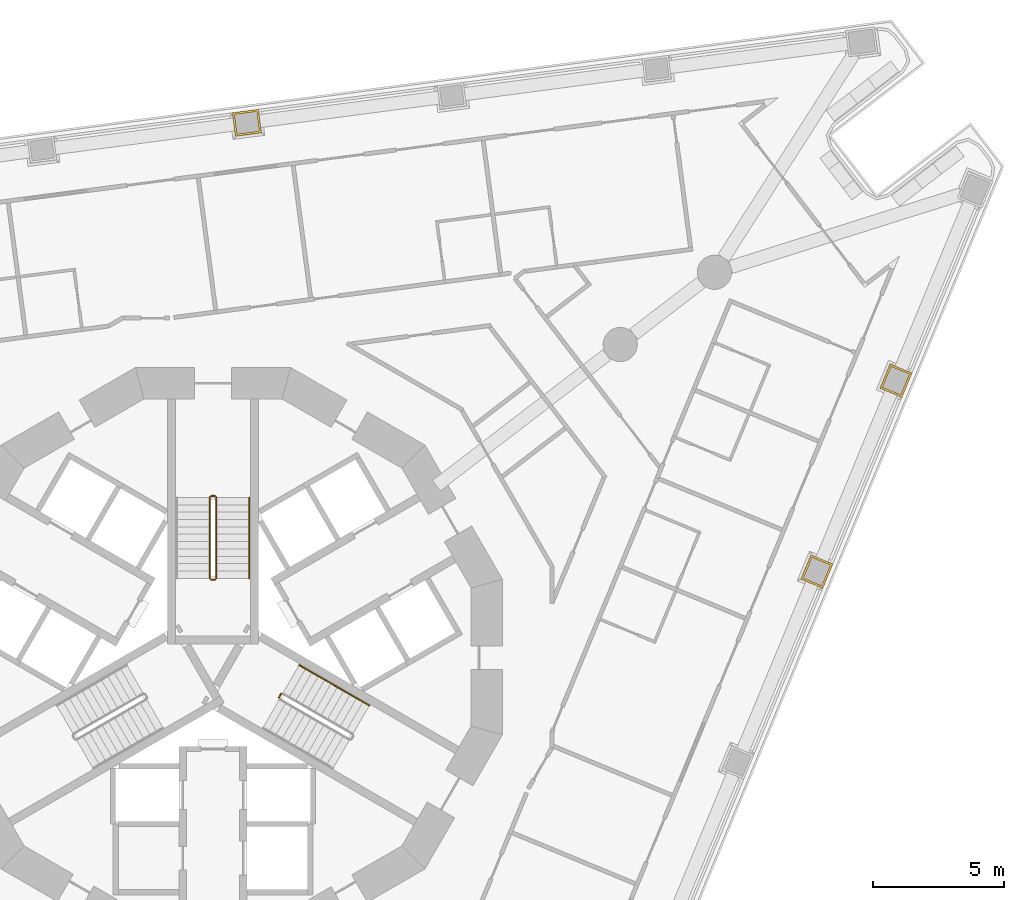
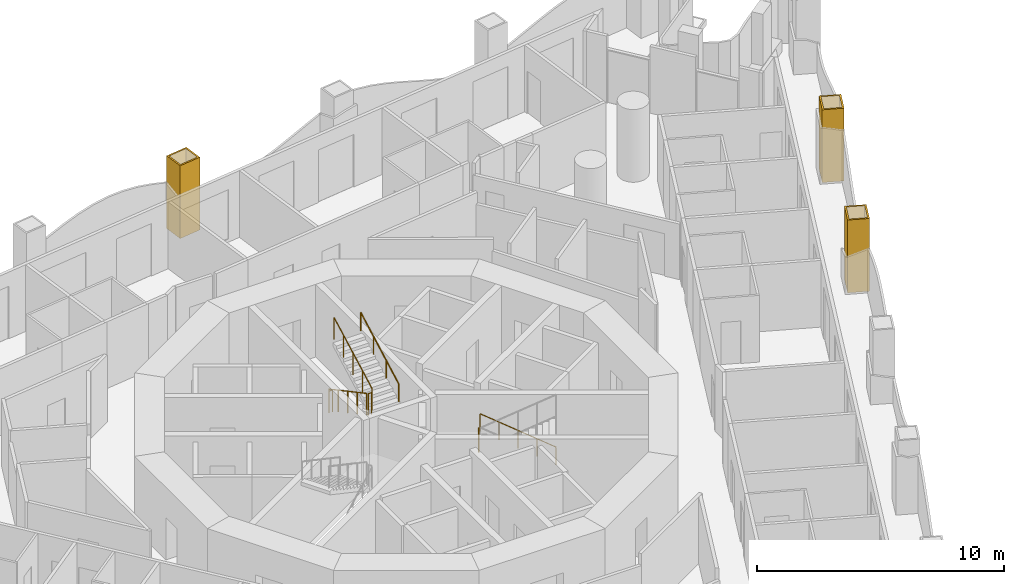
# One storey, part 17 of 19: 8 railings, 3 coverings.
"""IFC4 building model written with IfcOpenShell, lengths in metres."""

from ifc_helpers import new_model, si_unit, direction, frame, origin, origin_2d, place, context, subcontext, project, spatial, polyline, circle, outline, extrude, material, layer, layer_set, type_object, element, save


model = new_model("IFC4")

# Units and contexts
model_context = context("Model", 3, precision=1e-05, world=origin(), true_north=direction((0.0, 1.0)))
body_context = subcontext(model_context, "Body", "Model", "MODEL_VIEW")
ifc_project = project(units=[si_unit("LENGTHUNIT", "METRE"), si_unit("AREAUNIT", "SQUARE_METRE"), si_unit("VOLUMEUNIT", "CUBIC_METRE"), si_unit("PLANEANGLEUNIT", "RADIAN"), si_unit("MASSUNIT", "GRAM", prefix="KILO")], contexts=[model_context])

# Site, building, storey
site_placement = place(None, origin())
site = spatial("IfcSite", under=ifc_project, at=site_placement, CompositionType="ELEMENT")
building_placement = place(site_placement, origin())
building = spatial("IfcBuilding", under=site, at=building_placement, Name="Trine Commons Tower", CompositionType="ELEMENT")
storey_placement = place(building_placement, frame((0.0, 0.0, 61.199951171875)))
storey = spatial("IfcBuildingStorey", under=building, at=storey_placement, Name="L14", CompositionType="ELEMENT", Elevation=61.199951171875)

# Coverings
ifc_material_1 = material(Name="Limestone, honed", Category="masonry")
ifc_layer = layer(ifc_material_1, 0.074951171875)
ifc_layer_set = layer_set([ifc_layer], Name="Limestone, honed")
covering_type = type_object("IfcCoveringType", Name="Limestone column cladding 75", PredefinedType="CLADDING", material=ifc_layer_set)
covering_1_placement = place(storey_placement, origin())
element("IfcCovering", 1, at=covering_1_placement, inside=storey, type_object=covering_type, Name="Limestone pier cladding 2-13", PredefinedType="CLADDING", context=body_context, shape_type="SweptSolid", body=[
    extrude(outline(polyline([(81.843505859375, 82.43798828125), (81.72607421875, 83.330322265625), (80.734619140625, 83.19970703125), (80.85205078125, 82.3076171875), (81.843505859375, 82.43798828125)]), holes=[polyline([(81.759521484375, 82.502685546875), (81.66162109375, 83.24609375), (80.81884765625, 83.13525390625), (80.916748046875, 82.3916015625), (81.759521484375, 82.502685546875)])]), origin(), (0.0, 0.0, 1.0), 3.60009765625),
])
covering_2_placement = place(storey_placement, origin())
element("IfcCovering", 2, at=covering_2_placement, inside=storey, type_object=covering_type, Name="Limestone pier cladding 2-18", PredefinedType="CLADDING", context=body_context, shape_type="SweptSolid", body=[
    extrude(outline(polyline([(106.58349609375, 73.30029296875), (105.751953125, 73.644775390625), (105.369140625, 72.720947265625), (106.20068359375, 72.37646484375), (106.58349609375, 73.30029296875)]), holes=[polyline([(106.4853515625, 73.259765625), (105.79248046875, 73.546875), (105.46728515625, 72.761474609375), (106.16015625, 72.474365234375), (106.4853515625, 73.259765625)])]), origin(), (0.0, 0.0, 1.0), 3.60009765625),
])
covering_3_placement = place(storey_placement, origin())
element("IfcCovering", 3, at=covering_3_placement, inside=storey, type_object=covering_type, Name="Limestone pier cladding 2-19", PredefinedType="CLADDING", context=body_context, shape_type="SweptSolid", body=[
    extrude(outline(polyline([(103.575439453125, 66.0380859375), (102.743896484375, 66.382568359375), (102.361083984375, 65.458740234375), (103.192626953125, 65.114501953125), (103.575439453125, 66.0380859375)]), holes=[polyline([(103.477294921875, 65.99755859375), (102.784423828125, 66.28466796875), (102.459228515625, 65.49951171875), (103.152099609375, 65.21240234375), (103.477294921875, 65.99755859375)])]), origin(), (0.0, 0.0, 1.0), 3.60009765625),
])

# Railings
ifc_material_2 = material(Name="Stainless steel balustrade", Category="steel")
railing_type_1 = type_object("IfcRailingType", Name="Stair guard, steel balustrade 1100", PredefinedType="GUARDRAIL", material=ifc_material_2)
railing_1_placement = place(storey_placement, frame((79.875, 68.570556640625, 0.150146484375)))
element("IfcRailing", 4, at=railing_1_placement, inside=storey, type_object=railing_type_1, Name="L14 ST1A stair guard 1", PredefinedType="GUARDRAIL", context=body_context, shape_type="SweptSolid", body=[
    extrude(circle(Radius=0.02392578125, at=origin_2d()), frame((0.0, 0.0, 1.076171875), z_axis=(0.0, -0.881496589024, 0.472190389079), x_axis=(1.0, 0.0, 0.0)), (0.0, 0.0, 1.0), 3.494140625),
    extrude(circle(Radius=0.02099609375, at=origin_2d()), origin(), (0.0, 0.0, 1.0), 1.052001953125),
    extrude(circle(Radius=0.02099609375, at=origin_2d()), frame((0.0, -0.77001953125, 0.41259765625)), (0.0, 0.0, 1.0), 1.052001953125),
    extrude(circle(Radius=0.02099609375, at=origin_2d()), frame((0.0, -1.5400390625, 0.824951171875)), (0.0, 0.0, 1.0), 1.052001953125),
    extrude(circle(Radius=0.02099609375, at=origin_2d()), frame((0.0, -2.31005859375, 1.2373046875)), (0.0, 0.0, 1.0), 1.052001953125),
    extrude(circle(Radius=0.02099609375, at=origin_2d()), frame((0.0, -3.080078125, 1.64990234375)), (0.0, 0.0, 1.0), 1.052001953125),
])
railing_2_placement = place(storey_placement, frame((79.925048828125, 65.440673828125, 1.800048828125)))
element("IfcRailing", 5, at=railing_2_placement, inside=storey, type_object=railing_type_1, Name="L14 ST1A stair guard 2", PredefinedType="GUARDRAIL", context=body_context, shape_type="SweptSolid", body=[
    extrude(circle(Radius=0.02392578125, at=origin_2d()), frame((0.0, 0.0, 1.076171875), z_axis=(1.0, 0.0, 0.0), x_axis=(0.0, 1.0, 0.0)), (0.0, 0.0, 1.0), 0.14990234375),
    extrude(circle(Radius=0.02099609375, at=origin_2d()), origin(), (0.0, 0.0, 1.0), 1.052001953125),
    extrude(circle(Radius=0.02099609375, at=origin_2d()), frame((0.14990234375, 0.0, 0.0)), (0.0, 0.0, 1.0), 1.052001953125),
])
railing_3_placement = place(storey_placement, frame((80.125, 65.490478515625, 1.949951171875)))
element("IfcRailing", 6, at=railing_3_placement, inside=storey, type_object=railing_type_1, Name="L14 ST1A stair guard 3", PredefinedType="GUARDRAIL", context=body_context, shape_type="SweptSolid", body=[
    extrude(circle(Radius=0.02392578125, at=origin_2d()), frame((0.0, 0.0, 1.076171875), z_axis=(0.0, 0.881467505477, 0.472244678941), x_axis=(-1.0, 0.0, 0.0)), (0.0, 0.0, 1.0), 3.494140625),
    extrude(circle(Radius=0.02099609375, at=origin_2d()), origin(), (0.0, 0.0, 1.0), 1.052001953125),
    extrude(circle(Radius=0.02099609375, at=origin_2d()), frame((0.0, 0.77001953125, 0.41259765625)), (0.0, 0.0, 1.0), 1.052001953125),
    extrude(circle(Radius=0.02099609375, at=origin_2d()), frame((0.0, 1.5400390625, 0.8251953125)), (0.0, 0.0, 1.0), 1.052001953125),
    extrude(circle(Radius=0.02099609375, at=origin_2d()), frame((0.0, 2.31005859375, 1.237548828125)), (0.0, 0.0, 1.0), 1.052001953125),
    extrude(circle(Radius=0.02099609375, at=origin_2d()), frame((0.0, 3.080078125, 1.650146484375)), (0.0, 0.0, 1.0), 1.052001953125),
])
railing_4_placement = place(storey_placement, frame((79.925048828125, 68.62060546875, 0.0)))
element("IfcRailing", 7, at=railing_4_placement, inside=storey, type_object=railing_type_1, Name="L14 ST1A stair guard 4", PredefinedType="GUARDRAIL", context=body_context, shape_type="SweptSolid", body=[
    extrude(circle(Radius=0.02392578125, at=origin_2d()), frame((0.0, 0.0, 1.076171875), z_axis=(1.0, 0.0, 0.0), x_axis=(0.0, 1.0, 0.0)), (0.0, 0.0, 1.0), 0.14990234375),
    extrude(circle(Radius=0.02099609375, at=origin_2d()), origin(), (0.0, 0.0, 1.0), 1.052001953125),
    extrude(circle(Radius=0.02099609375, at=origin_2d()), frame((0.14990234375, 0.0, 0.0)), (0.0, 0.0, 1.0), 1.052001953125),
])
railing_5_placement = place(storey_placement, frame((82.584228515625, 61.0947265625, 1.800048828125)))
element("IfcRailing", 8, at=railing_5_placement, inside=storey, type_object=railing_type_1, Name="L14 ST3A stair guard 2", PredefinedType="GUARDRAIL", context=body_context, shape_type="SweptSolid", body=[
    extrude(circle(Radius=0.02392578125, at=origin_2d()), frame((0.0, 0.0, 1.076171875), z_axis=(-0.501036270542, -0.865426285481, 0.0), x_axis=(0.865426285481, -0.501036270542, 0.0)), (0.0, 0.0, 1.0), 0.150146484375),
    extrude(circle(Radius=0.02099609375, at=origin_2d()), origin(), (0.0, 0.0, 1.0), 1.052001953125),
    extrude(circle(Radius=0.02099609375, at=origin_2d()), frame((-0.0751953125, -0.1298828125, 0.0)), (0.0, 0.0, 1.0), 1.052001953125),
])
ifc_material_3 = material(Name="Stainless steel handrail", Category="steel")
railing_type_2 = type_object("IfcRailingType", Name="Stair handrail, steel 900", PredefinedType="HANDRAIL", material=ifc_material_3)
railing_6_placement = place(storey_placement, frame((81.375, 65.490478515625, 1.949951171875)))
element("IfcRailing", 9, at=railing_6_placement, inside=storey, type_object=railing_type_2, Name="L14 ST1A stair handrail 2", PredefinedType="HANDRAIL", context=body_context, shape_type="SweptSolid", body=[
    extrude(circle(Radius=0.02099609375, at=origin_2d()), frame((0.0, 0.0, 0.87890625), z_axis=(0.0, 0.881467505477, 0.472244678941), x_axis=(-1.0, 0.0, 0.0)), (0.0, 0.0, 1.0), 3.494140625),
    extrude(circle(Radius=0.01513671875, at=origin_2d()), origin(), (0.0, 0.0, 1.0), 0.85791015625),
    extrude(circle(Radius=0.01513671875, at=origin_2d()), frame((0.0, 1.026611328125, 0.550048828125)), (0.0, 0.0, 1.0), 0.85791015625),
    extrude(circle(Radius=0.01513671875, at=origin_2d()), frame((0.0, 2.053466796875, 1.10009765625)), (0.0, 0.0, 1.0), 0.85791015625),
    extrude(circle(Radius=0.01513671875, at=origin_2d()), frame((0.0, 3.080078125, 1.650146484375)), (0.0, 0.0, 1.0), 0.85791015625),
])
for number, where, name in (
    (10, (85.94482421875, 60.655517578125, 0.150146484375), "L14 ST3A stair handrail 1"),
    (11, (84.611083984375, 61.425537109375, 0.97509765625), "L14 ST3A stair handrail 2"),
):
    element("IfcRailing", number, at=place(storey_placement, frame(where)), inside=storey, type_object=railing_type_2, Name=name, PredefinedType="HANDRAIL", context=body_context, shape_type="SweptSolid", body=[
        extrude(circle(Radius=0.02099609375, at=origin_2d()), frame((0.0, 0.0, 0.87890625), z_axis=(-0.76340495495, 0.440743040072, 0.472184759798), x_axis=(-0.499992328818, -0.866029832698, 0.0)), (0.0, 0.0, 1.0), 1.7470703125),
        extrude(circle(Radius=0.01513671875, at=origin_2d()), origin(), (0.0, 0.0, 1.0), 0.85791015625),
        extrude(circle(Radius=0.01513671875, at=origin_2d()), frame((-0.6669921875, 0.385009765625, 0.41259765625)), (0.0, 0.0, 1.0), 0.85791015625),
        extrude(circle(Radius=0.01513671875, at=origin_2d()), frame((-1.333740234375, 0.77001953125, 0.824951171875)), (0.0, 0.0, 1.0), 0.85791015625),
    ])

save(model, "model.ifc")
